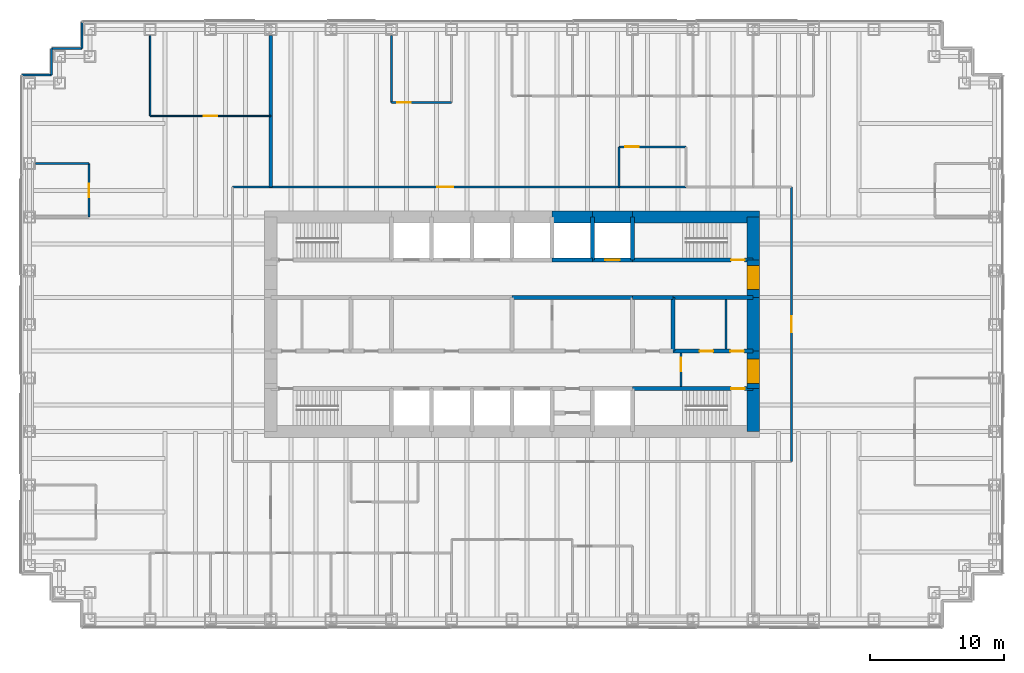
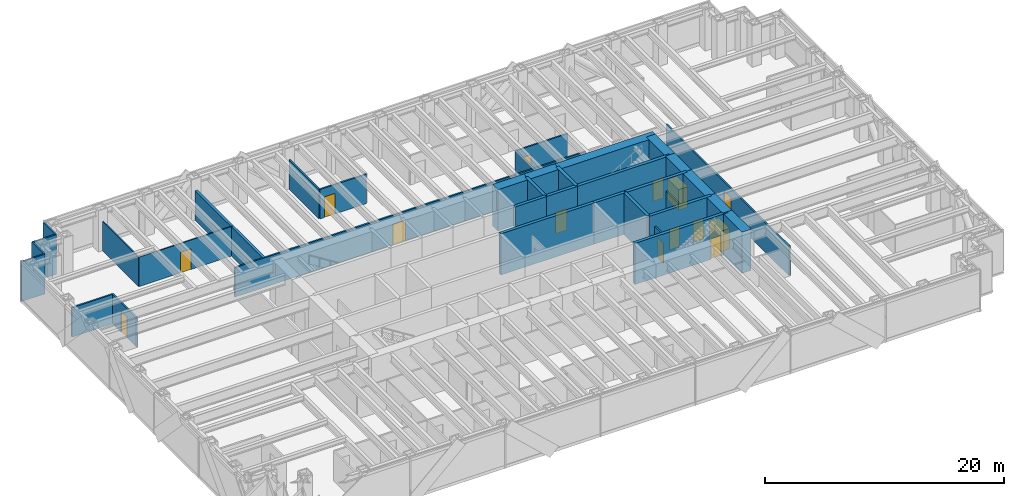
# One storey, part 13 of 15: 37 walls, 14 doors, 14 openings.
"""IFC4 building model written with IfcOpenShell, lengths in metres."""

from ifc_helpers import new_model, si_unit, direction, frame, frame_2d, origin, place, context, subcontext, project, spatial, rectangle, extrude, material, layer, layer_set, type_object, element, fill, save


model = new_model("IFC4")

# Units and contexts
model_context = context("Model", 3, precision=1e-05, world=origin(), true_north=direction((0.0, 1.0)))
body_context = subcontext(model_context, "Body", "Model", "MODEL_VIEW")
ifc_project = project(units=[si_unit("LENGTHUNIT", "METRE"), si_unit("AREAUNIT", "SQUARE_METRE"), si_unit("VOLUMEUNIT", "CUBIC_METRE"), si_unit("PLANEANGLEUNIT", "RADIAN"), si_unit("MASSUNIT", "GRAM", prefix="KILO")], contexts=[model_context])

# Site, building, storey
site_placement = place(None, origin())
site = spatial("IfcSite", under=ifc_project, at=site_placement, CompositionType="ELEMENT")
building_placement = place(site_placement, origin())
building = spatial("IfcBuilding", under=site, at=building_placement, Name="Rheinbord Bourse Tower", CompositionType="ELEMENT")
storey_placement = place(building_placement, frame((0.0, 0.0, 163.5)))
storey = spatial("IfcBuildingStorey", under=building, at=storey_placement, Name="L36", CompositionType="ELEMENT", Elevation=163.5)

# Wall, opening, door
ifc_material_1 = material(Name="Concrete C50/60", Category="concrete")
ifc_layer_1 = layer(ifc_material_1, 0.300048828125)
ifc_layer_set_1 = layer_set([ifc_layer_1], Name="CORE INNER WALL 300")
wall_type_1 = type_object("IfcWallType", Name="CORE INNER WALL 300", PredefinedType="SOLIDWALL", material=ifc_layer_set_1)
wall_1_placement = place(storey_placement, frame((45.0, 19.199951171875, 0.0), z_axis=(0.0, 0.0, 1.0), x_axis=(1.0, 0.0, 0.0)))
wall_1 = element("IfcWall", 1, at=wall_1_placement, inside=storey, type_object=wall_type_1, Name="Core wall A8 L36", PredefinedType="SOLIDWALL", context=body_context, shape_type="SweptSolid", body=[
    extrude(rectangle(XDim=9.0, YDim=0.300048828125, at=frame_2d((4.5, 0.0))), origin(), (0.0, 0.0, 1.0), 4.199951171875),
])
opening_1_placement = place(wall_1_placement, frame((7.35009765625, 0.0, 0.0)))
opening_1 = element("IfcOpeningElement", 2, at=opening_1_placement, cuts=wall_1, Name="Opening 3630", PredefinedType="OPENING", context=body_context, shape_type="SweptSolid", body=[
    extrude(rectangle(XDim=1.0, YDim=2.10009765625, at=frame_2d((0.5, 1.050048828125))), frame((0.0, 0.159912109375, 0.0), z_axis=(0.0, -1.0, 0.0), x_axis=(1.0, 0.0, 0.0)), (0.0, 0.0, 1.0), 0.320068359375),
])
ifc_material_2 = material(Name="Steel door", Category="steel")
door_type_1 = type_object("IfcDoorType", Name="DOOR 1000 EI30", OperationType="SINGLE_SWING_LEFT", PredefinedType="DOOR", material=ifc_material_2)
door_1_placement = place(opening_1_placement, origin())
door_1 = element("IfcDoor", 3, at=door_1_placement, inside=storey, type_object=door_type_1, Name="Stair door ST3 L36", OperationType="SINGLE_SWING_RIGHT", OverallHeight=2.10009765625, OverallWidth=1.0, PredefinedType="DOOR", context=body_context, shape_type="SweptSolid", body=[
    extrude(rectangle(XDim=1.0, YDim=2.10009765625, at=frame_2d((0.5, 1.050048828125))), frame((0.0, 0.02490234375, 0.0), z_axis=(0.0, -1.0, 0.0), x_axis=(1.0, 0.0, 0.0)), (0.0, 0.0, 1.0), 0.050048828125),
])
fill(opening_1, door_1)

# Wall
wall_2_placement = place(storey_placement, frame((39.0, 28.800048828125, 0.0), z_axis=(0.0, 0.0, 1.0), x_axis=(1.0, 0.0, 0.0)))
element("IfcWall", 4, at=wall_2_placement, inside=storey, type_object=wall_type_1, Name="Core wall B6 L36", PredefinedType="SOLIDWALL", context=body_context, shape_type="SweptSolid", body=[
    extrude(rectangle(XDim=3.0, YDim=0.300048828125, at=frame_2d((1.5, 0.0))), origin(), (0.0, 0.0, 1.0), 4.199951171875),
])

# Wall, opening, door
wall_3_placement = place(storey_placement, frame((42.0, 28.800048828125, 0.0), z_axis=(0.0, 0.0, 1.0), x_axis=(1.0, 0.0, 0.0)))
wall_3 = element("IfcWall", 5, at=wall_3_placement, inside=storey, type_object=wall_type_1, Name="Core wall B7 L36", PredefinedType="SOLIDWALL", context=body_context, shape_type="SweptSolid", body=[
    extrude(rectangle(XDim=3.0, YDim=0.300048828125, at=frame_2d((1.5, 0.0))), origin(), (0.0, 0.0, 1.0), 4.199951171875),
])
opening_2_placement = place(wall_3_placement, frame((0.949951171875, 0.0, 0.0)))
opening_2 = element("IfcOpeningElement", 6, at=opening_2_placement, cuts=wall_3, Name="Opening FL2", PredefinedType="OPENING", context=body_context, shape_type="SweptSolid", body=[
    extrude(rectangle(XDim=1.10009765625, YDim=2.199951171875, at=frame_2d((0.550048828125, 1.10009765625))), frame((0.0, 0.159912109375, 0.0), z_axis=(0.0, -1.0, 0.0), x_axis=(1.0, 0.0, 0.0)), (0.0, 0.0, 1.0), 0.320068359375),
])
ifc_material_3 = material(Name="Steel landing door", Category="steel")
door_type_2 = type_object("IfcDoorType", Name="LIFT LANDING DOOR 1100", OperationType="DOUBLE_DOOR_SLIDING", PredefinedType="USERDEFINED", material=ifc_material_3)
door_2_placement = place(opening_2_placement, origin())
door_2 = element("IfcDoor", 7, at=door_2_placement, inside=storey, type_object=door_type_2, Name="Lift landing door FL2 L36", ObjectType="LIFT LANDING DOOR", OperationType="DOUBLE_DOOR_SLIDING", OverallHeight=2.199951171875, OverallWidth=1.10009765625, PredefinedType="USERDEFINED", context=body_context, shape_type="SweptSolid", body=[
    extrude(rectangle(XDim=1.10009765625, YDim=2.199951171875, at=frame_2d((0.550048828125, 1.10009765625))), frame((0.0, 0.02490234375, 0.0), z_axis=(0.0, -1.0, 0.0), x_axis=(1.0, 0.0, 0.0)), (0.0, 0.0, 1.0), 0.050048828125),
])
fill(opening_2, door_2)

wall_4_placement = place(storey_placement, frame((45.0, 28.800048828125, 0.0), z_axis=(0.0, 0.0, 1.0), x_axis=(1.0, 0.0, 0.0)))
wall_4 = element("IfcWall", 8, at=wall_4_placement, inside=storey, type_object=wall_type_1, Name="Core wall B8 L36", PredefinedType="SOLIDWALL", context=body_context, shape_type="SweptSolid", body=[
    extrude(rectangle(XDim=9.0, YDim=0.300048828125, at=frame_2d((4.5, 0.0))), origin(), (0.0, 0.0, 1.0), 4.199951171875),
])
opening_3_placement = place(wall_4_placement, frame((7.35009765625, 0.0, 0.0)))
opening_3 = element("IfcOpeningElement", 9, at=opening_3_placement, cuts=wall_4, Name="Opening 3640", PredefinedType="OPENING", context=body_context, shape_type="SweptSolid", body=[
    extrude(rectangle(XDim=1.0, YDim=2.10009765625, at=frame_2d((0.5, 1.050048828125))), frame((0.0, 0.159912109375, 0.0), z_axis=(0.0, -1.0, 0.0), x_axis=(1.0, 0.0, 0.0)), (0.0, 0.0, 1.0), 0.320068359375),
])
door_3_placement = place(opening_3_placement, origin())
door_3 = element("IfcDoor", 10, at=door_3_placement, inside=storey, type_object=door_type_1, Name="Stair door ST4 L36", OperationType="SINGLE_SWING_RIGHT", OverallHeight=2.10009765625, OverallWidth=1.0, PredefinedType="DOOR", context=body_context, shape_type="SweptSolid", body=[
    extrude(rectangle(XDim=1.0, YDim=2.10009765625, at=frame_2d((0.5, 1.050048828125))), frame((0.0, 0.02490234375, 0.0), z_axis=(0.0, -1.0, 0.0), x_axis=(1.0, 0.0, 0.0)), (0.0, 0.0, 1.0), 0.050048828125),
])
fill(opening_3, door_3)

# Wall, openings, doors
wall_5_placement = place(storey_placement, frame((48.0, 22.0, 0.0), z_axis=(0.0, 0.0, 1.0), x_axis=(1.0, 0.0, 0.0)))
wall_5 = element("IfcWall", 11, at=wall_5_placement, inside=storey, type_object=wall_type_1, Name="Core wall C6 L36", PredefinedType="SOLIDWALL", context=body_context, shape_type="SweptSolid", body=[
    extrude(rectangle(XDim=6.0, YDim=0.300048828125, at=frame_2d((3.0, 0.0))), origin(), (0.0, 0.0, 1.0), 4.199951171875),
])
opening_4_placement = place(wall_5_placement, frame((2.0, 0.0, 0.0)))
opening_4 = element("IfcOpeningElement", 12, at=opening_4_placement, cuts=wall_5, Name="Opening 36R6", PredefinedType="OPENING", context=body_context, shape_type="SweptSolid", body=[
    extrude(rectangle(XDim=1.0, YDim=2.10009765625, at=frame_2d((0.5, 1.050048828125))), frame((0.0, 0.159912109375, 0.0), z_axis=(0.0, -1.0, 0.0), x_axis=(1.0, 0.0, 0.0)), (0.0, 0.0, 1.0), 0.320068359375),
])
opening_5_placement = place(wall_5_placement, frame((4.300048828125, 0.0, 0.0)))
opening_5 = element("IfcOpeningElement", 13, at=opening_5_placement, cuts=wall_5, Name="Opening 36R10", PredefinedType="OPENING", context=body_context, shape_type="SweptSolid", body=[
    extrude(rectangle(XDim=1.0, YDim=2.10009765625, at=frame_2d((0.5, 1.050048828125))), frame((0.0, 0.159912109375, 0.0), z_axis=(0.0, -1.0, 0.0), x_axis=(1.0, 0.0, 0.0)), (0.0, 0.0, 1.0), 0.320068359375),
])
door_4_placement = place(opening_5_placement, origin())
door_4 = element("IfcDoor", 14, at=door_4_placement, inside=storey, type_object=door_type_1, Name="Baby change door L36", OperationType="SINGLE_SWING_RIGHT", OverallHeight=2.10009765625, OverallWidth=1.0, PredefinedType="DOOR", context=body_context, shape_type="SweptSolid", body=[
    extrude(rectangle(XDim=1.0, YDim=2.10009765625, at=frame_2d((0.5, 1.050048828125))), frame((0.0, 0.02490234375, 0.0), z_axis=(0.0, -1.0, 0.0), x_axis=(1.0, 0.0, 0.0)), (0.0, 0.0, 1.0), 0.050048828125),
])
fill(opening_5, door_4)
ifc_material_4 = material(Name="Timber door", Category="wood")
door_type_3 = type_object("IfcDoorType", Name="DOOR 1000 WC", OperationType="SINGLE_SWING_LEFT", PredefinedType="DOOR", material=ifc_material_4)
door_5_placement = place(opening_4_placement, origin())
door_5 = element("IfcDoor", 15, at=door_5_placement, inside=storey, type_object=door_type_3, Name="WC women door L36", OperationType="SINGLE_SWING_LEFT", OverallHeight=2.10009765625, OverallWidth=1.0, PredefinedType="DOOR", context=body_context, shape_type="SweptSolid", body=[
    extrude(rectangle(XDim=1.0, YDim=2.10009765625, at=frame_2d((0.5, 1.050048828125))), frame((0.0, 0.02490234375, 0.0), z_axis=(0.0, -1.0, 0.0), x_axis=(1.0, 0.0, 0.0)), (0.0, 0.0, 1.0), 0.050048828125),
])
fill(opening_4, door_5)

# Walls
wall_6_placement = place(storey_placement, frame((36.0, 26.0, 0.0), z_axis=(0.0, 0.0, 1.0), x_axis=(1.0, 0.0, 0.0)))
element("IfcWall", 16, at=wall_6_placement, inside=storey, type_object=wall_type_1, Name="Core wall D4 L36", PredefinedType="SOLIDWALL", context=body_context, shape_type="SweptSolid", body=[
    extrude(rectangle(XDim=9.0, YDim=0.300048828125, at=frame_2d((4.5, 0.0))), origin(), (0.0, 0.0, 1.0), 4.199951171875),
])
wall_7_placement = place(storey_placement, frame((45.0, 26.0, 0.0), z_axis=(0.0, 0.0, 1.0), x_axis=(1.0, 0.0, 0.0)))
element("IfcWall", 17, at=wall_7_placement, inside=storey, type_object=wall_type_1, Name="Core wall D5 L36", PredefinedType="SOLIDWALL", context=body_context, shape_type="SweptSolid", body=[
    extrude(rectangle(XDim=3.0, YDim=0.300048828125, at=frame_2d((1.5, 0.0))), origin(), (0.0, 0.0, 1.0), 4.199951171875),
])
wall_8_placement = place(storey_placement, frame((48.0, 26.0, 0.0), z_axis=(0.0, 0.0, 1.0), x_axis=(1.0, 0.0, 0.0)))
element("IfcWall", 18, at=wall_8_placement, inside=storey, type_object=wall_type_1, Name="Core wall D6 L36", PredefinedType="SOLIDWALL", context=body_context, shape_type="SweptSolid", body=[
    extrude(rectangle(XDim=6.0, YDim=0.300048828125, at=frame_2d((3.0, 0.0))), origin(), (0.0, 0.0, 1.0), 4.199951171875),
])
for number, where, z_axis, x_axis, name in (
    (19, (42.0, 28.800048828125, 0.0), (0.0, 0.0, 1.0), (0.0, 1.0, 0.0), "Core wall NX42 L36"),
    (20, (45.0, 28.800048828125, 0.0), (0.0, 0.0, 1.0), (0.0, 1.0, 0.0), "Core wall NX45 L36"),
):
    element("IfcWall", number, at=place(storey_placement, frame(where, z_axis=z_axis, x_axis=x_axis)), inside=storey, type_object=wall_type_1, Name=name, PredefinedType="SOLIDWALL", context=body_context, shape_type="SweptSolid", body=[
        extrude(rectangle(XDim=3.199951171875, YDim=0.300048828125, at=frame_2d((1.60009765625, 0.0))), origin(), (0.0, 0.0, 1.0), 4.199951171875),
    ])
wall_9_placement = place(storey_placement, frame((48.0, 22.0, 0.0), z_axis=(0.0, 0.0, 1.0), x_axis=(0.0, 1.0, 0.0)))
element("IfcWall", 21, at=wall_9_placement, inside=storey, type_object=wall_type_1, Name="Core wall MX48 L36", PredefinedType="SOLIDWALL", context=body_context, shape_type="SweptSolid", body=[
    extrude(rectangle(XDim=4.0, YDim=0.300048828125, at=frame_2d((2.0, 0.0))), origin(), (0.0, 0.0, 1.0), 4.199951171875),
])
ifc_material_5 = material(Name="Gypsum board fire partition", Category="gypsum board")
ifc_layer_2 = layer(ifc_material_5, 0.14990234375)
ifc_layer_set_2 = layer_set([ifc_layer_2], Name="CORE PARTITION 150 EI30")
wall_type_2 = type_object("IfcWallType", Name="CORE PARTITION 150 EI30", PredefinedType="PARTITIONING", material=ifc_layer_set_2)
wall_10_placement = place(storey_placement, frame((51.97509765625, 22.14990234375, 0.0), z_axis=(0.0, 0.0, 1.0), x_axis=(0.0, 1.0, 0.0)))
element("IfcWall", 22, at=wall_10_placement, inside=storey, type_object=wall_type_2, Name="Core partition L36-3", PredefinedType="PARTITIONING", context=body_context, shape_type="SweptSolid", body=[
    extrude(rectangle(XDim=3.7001953125, YDim=0.14990234375, at=frame_2d((1.85009765625, 0.0))), origin(), (0.0, 0.0, 1.0), 3.0),
])

# Wall, opening, door
wall_11_placement = place(storey_placement, frame((48.60009765625, 19.35009765625, 0.0), z_axis=(0.0, 0.0, 1.0), x_axis=(0.0, 1.0, 0.0)))
wall_11 = element("IfcWall", 23, at=wall_11_placement, inside=storey, type_object=wall_type_2, Name="Core partition L36-4", PredefinedType="PARTITIONING", context=body_context, shape_type="SweptSolid", body=[
    extrude(rectangle(XDim=2.5, YDim=0.14990234375, at=frame_2d((1.25, 0.0))), origin(), (0.0, 0.0, 1.0), 3.0),
])
opening_6_placement = place(wall_11_placement, frame((1.14990234375, 0.0, 0.0)))
opening_6 = element("IfcOpeningElement", 24, at=opening_6_placement, cuts=wall_11, Name="Opening 36L5", PredefinedType="OPENING", context=body_context, shape_type="SweptSolid", body=[
    extrude(rectangle(XDim=1.0, YDim=2.10009765625, at=frame_2d((0.5, 1.050048828125))), frame((0.0, 0.0849609375, 0.0), z_axis=(0.0, -1.0, 0.0), x_axis=(1.0, 0.0, 0.0)), (0.0, 0.0, 1.0), 0.169921875),
])
door_6_placement = place(opening_6_placement, origin())
door_6 = element("IfcDoor", 25, at=door_6_placement, inside=storey, type_object=door_type_1, Name="Stair lobby door L36", OperationType="SINGLE_SWING_RIGHT", OverallHeight=2.10009765625, OverallWidth=1.0, PredefinedType="DOOR", context=body_context, shape_type="SweptSolid", body=[
    extrude(rectangle(XDim=1.0, YDim=2.10009765625, at=frame_2d((0.5, 1.050048828125))), frame((0.0, 0.02490234375, 0.0), z_axis=(0.0, -1.0, 0.0), x_axis=(1.0, 0.0, 0.0)), (0.0, 0.0, 1.0), 0.050048828125),
])
fill(opening_6, door_6)

# Walls
ifc_material_6 = material(Name="Concrete C50/60", Category="concrete")
ifc_layer_3 = layer(ifc_material_6, 0.89990234375)
ifc_layer_set_3 = layer_set([ifc_layer_3], Name="CORE WALL 900")
wall_type_3 = type_object("IfcWallType", Name="CORE WALL 900", PredefinedType="SHEAR", material=ifc_layer_set_3)
wall_12_placement = place(storey_placement, frame((54.449951171875, 32.0, 0.0), z_axis=(0.0, 0.0, 1.0), x_axis=(-1.0, 0.0, 0.0)))
element("IfcWall", 26, at=wall_12_placement, inside=storey, type_object=wall_type_3, Name="Core wall N1 L36", PredefinedType="SHEAR", context=body_context, shape_type="SweptSolid", body=[
    extrude(rectangle(XDim=9.449951171875, YDim=0.89990234375, at=frame_2d((4.72509765625, 0.0))), origin(), (0.0, 0.0, 1.0), 4.199951171875),
])
for number, where, z_axis, x_axis, name in (
    (27, (45.0, 32.0, 0.0), (0.0, 0.0, 1.0), (-1.0, 0.0, 0.0), "Core wall N2 L36"),
    (28, (42.0, 32.0, 0.0), (0.0, 0.0, 1.0), (-1.0, 0.0, 0.0), "Core wall N3 L36"),
):
    element("IfcWall", number, at=place(storey_placement, frame(where, z_axis=z_axis, x_axis=x_axis)), inside=storey, type_object=wall_type_3, Name=name, PredefinedType="SHEAR", context=body_context, shape_type="SweptSolid", body=[
        extrude(rectangle(XDim=3.0, YDim=0.89990234375, at=frame_2d((1.5, 0.0))), origin(), (0.0, 0.0, 1.0), 4.199951171875),
    ])
wall_13_placement = place(storey_placement, frame((54.0, 16.0, 0.0), z_axis=(0.0, 0.0, 1.0), x_axis=(0.0, 1.0, 0.0)))
element("IfcWall", 29, at=wall_13_placement, inside=storey, type_object=wall_type_3, Name="Core wall E1 L36", PredefinedType="SHEAR", context=body_context, shape_type="SweptSolid", body=[
    extrude(rectangle(XDim=3.199951171875, YDim=0.89990234375, at=frame_2d((1.60009765625, 0.0))), origin(), (0.0, 0.0, 1.0), 4.199951171875),
])

# Wall, opening, door
wall_14_placement = place(storey_placement, frame((54.0, 19.199951171875, 0.0), z_axis=(0.0, 0.0, 1.0), x_axis=(0.0, 1.0, 0.0)))
wall_14 = element("IfcWall", 30, at=wall_14_placement, inside=storey, type_object=wall_type_3, Name="Core wall E2 L36", PredefinedType="SHEAR", context=body_context, shape_type="SweptSolid", body=[
    extrude(rectangle(XDim=2.800048828125, YDim=0.89990234375, at=frame_2d((1.39990234375, 0.0))), origin(), (0.0, 0.0, 1.0), 4.199951171875),
])
opening_7_placement = place(wall_14_placement, frame((0.39990234375, 0.0, 0.0)))
opening_7 = element("IfcOpeningElement", 31, at=opening_7_placement, cuts=wall_14, Name="Opening 36L3", PredefinedType="OPENING", context=body_context, shape_type="SweptSolid", body=[
    extrude(rectangle(XDim=1.800048828125, YDim=2.10009765625, at=frame_2d((0.89990234375, 1.050048828125))), frame((0.0, 0.4599609375, 0.0), z_axis=(0.0, -1.0, 0.0), x_axis=(1.0, 0.0, 0.0)), (0.0, 0.0, 1.0), 0.919921875),
])
ifc_material_7 = material(Name="Steel door", Category="steel")
door_type_4 = type_object("IfcDoorType", Name="DOOR 1800 EI30 DOUBLE", OperationType="DOUBLE_DOOR_DOUBLE_SWING", PredefinedType="DOOR", material=ifc_material_7)
door_7_placement = place(opening_7_placement, origin())
door_7 = element("IfcDoor", 32, at=door_7_placement, inside=storey, type_object=door_type_4, Name="Lobby door 3 L36", OperationType="SINGLE_SWING_LEFT", OverallHeight=2.10009765625, OverallWidth=1.800048828125, PredefinedType="DOOR", context=body_context, shape_type="SweptSolid", body=[
    extrude(rectangle(XDim=1.800048828125, YDim=2.10009765625, at=frame_2d((0.89990234375, 1.050048828125))), frame((0.0, 0.44970703125, 0.0), z_axis=(0.0, -1.0, 0.0), x_axis=(1.0, 0.0, 0.0)), (0.0, 0.0, 1.0), 0.8994140625),
])
fill(opening_7, door_7)

# Wall
wall_15_placement = place(storey_placement, frame((54.0, 22.0, 0.0), z_axis=(0.0, 0.0, 1.0), x_axis=(0.0, 1.0, 0.0)))
element("IfcWall", 33, at=wall_15_placement, inside=storey, type_object=wall_type_3, Name="Core wall E3 L36", PredefinedType="SHEAR", context=body_context, shape_type="SweptSolid", body=[
    extrude(rectangle(XDim=4.0, YDim=0.89990234375, at=frame_2d((2.0, 0.0))), origin(), (0.0, 0.0, 1.0), 4.199951171875),
])

# Wall, opening, door
wall_16_placement = place(storey_placement, frame((54.0, 26.0, 0.0), z_axis=(0.0, 0.0, 1.0), x_axis=(0.0, 1.0, 0.0)))
wall_16 = element("IfcWall", 34, at=wall_16_placement, inside=storey, type_object=wall_type_3, Name="Core wall E4 L36", PredefinedType="SHEAR", context=body_context, shape_type="SweptSolid", body=[
    extrude(rectangle(XDim=2.800048828125, YDim=0.89990234375, at=frame_2d((1.39990234375, 0.0))), origin(), (0.0, 0.0, 1.0), 4.199951171875),
])
opening_8_placement = place(wall_16_placement, frame((0.60009765625, 0.0, 0.0)))
opening_8 = element("IfcOpeningElement", 35, at=opening_8_placement, cuts=wall_16, Name="Opening 36L4", PredefinedType="OPENING", context=body_context, shape_type="SweptSolid", body=[
    extrude(rectangle(XDim=1.800048828125, YDim=2.10009765625, at=frame_2d((0.89990234375, 1.050048828125))), frame((0.0, 0.4599609375, 0.0), z_axis=(0.0, -1.0, 0.0), x_axis=(1.0, 0.0, 0.0)), (0.0, 0.0, 1.0), 0.919921875),
])
door_8_placement = place(opening_8_placement, origin())
door_8 = element("IfcDoor", 36, at=door_8_placement, inside=storey, type_object=door_type_4, Name="Lobby door 4 L36", OperationType="SINGLE_SWING_LEFT", OverallHeight=2.10009765625, OverallWidth=1.800048828125, PredefinedType="DOOR", context=body_context, shape_type="SweptSolid", body=[
    extrude(rectangle(XDim=1.800048828125, YDim=2.10009765625, at=frame_2d((0.89990234375, 1.050048828125))), frame((0.0, 0.44970703125, 0.0), z_axis=(0.0, -1.0, 0.0), x_axis=(1.0, 0.0, 0.0)), (0.0, 0.0, 1.0), 0.8994140625),
])
fill(opening_8, door_8)

# Walls
wall_17_placement = place(storey_placement, frame((54.0, 28.800048828125, 0.0), z_axis=(0.0, 0.0, 1.0), x_axis=(0.0, 1.0, 0.0)))
element("IfcWall", 37, at=wall_17_placement, inside=storey, type_object=wall_type_3, Name="Core wall E5 L36", PredefinedType="SHEAR", context=body_context, shape_type="SweptSolid", body=[
    extrude(rectangle(XDim=3.199951171875, YDim=0.89990234375, at=frame_2d((1.60009765625, 0.0))), origin(), (0.0, 0.0, 1.0), 4.199951171875),
])
ifc_material_8 = material(Name="Black metal rainscreen panel", Category="aluminium")
ifc_layer_4 = layer(ifc_material_8, 0.14990234375)
ifc_layer_set_4 = layer_set([ifc_layer_4], Name="CORNER PIER CLADDING 150")
wall_type_4 = type_object("IfcWallType", Name="CORNER PIER CLADDING 150", PredefinedType="ELEMENTEDWALL", material=ifc_layer_set_4)
wall_18_placement = place(storey_placement, frame((3.89990234375, 46.60009765625, 0.0), z_axis=(0.0, 0.0, 1.0), x_axis=(0.0, -1.0, 0.0)))
element("IfcWall", 38, at=wall_18_placement, inside=storey, type_object=wall_type_4, Name="Corner pier cladding L36 12", PredefinedType="ELEMENTEDWALL", context=body_context, shape_type="SweptSolid", body=[
    extrude(rectangle(XDim=2.0, YDim=0.14990234375, at=frame_2d((1.0, 0.0))), origin(), (0.0, 0.0, 1.0), 4.0400390625),
])
wall_19_placement = place(storey_placement, frame((3.89990234375, 44.60009765625, 0.0), z_axis=(0.0, 0.0, 1.0), x_axis=(-1.0, 0.0, 0.0)))
element("IfcWall", 39, at=wall_19_placement, inside=storey, type_object=wall_type_4, Name="Corner pier cladding L36 13", PredefinedType="ELEMENTEDWALL", context=body_context, shape_type="SweptSolid", body=[
    extrude(rectangle(XDim=2.25, YDim=0.14990234375, at=frame_2d((1.125, 0.0))), origin(), (0.0, 0.0, 1.0), 4.0400390625),
])
wall_20_placement = place(storey_placement, frame((1.64990234375, 44.60009765625, 0.0), z_axis=(0.0, 0.0, 1.0), x_axis=(0.0, -1.0, 0.0)))
element("IfcWall", 40, at=wall_20_placement, inside=storey, type_object=wall_type_4, Name="Corner pier cladding L36 14", PredefinedType="ELEMENTEDWALL", context=body_context, shape_type="SweptSolid", body=[
    extrude(rectangle(XDim=2.0, YDim=0.14990234375, at=frame_2d((1.0, 0.0))), origin(), (0.0, 0.0, 1.0), 4.0400390625),
])
wall_21_placement = place(storey_placement, frame((1.64990234375, 42.60009765625, 0.0), z_axis=(0.0, 0.0, 1.0), x_axis=(-1.0, 0.0, 0.0)))
element("IfcWall", 41, at=wall_21_placement, inside=storey, type_object=wall_type_4, Name="Corner pier cladding L36 15", PredefinedType="ELEMENTEDWALL", context=body_context, shape_type="SweptSolid", body=[
    extrude(rectangle(XDim=2.25, YDim=0.14990234375, at=frame_2d((1.125, 0.0))), origin(), (0.0, 0.0, 1.0), 4.0400390625),
])

# Wall, opening, door
ifc_material_9 = material(Name="Gypsum board corridor partition", Category="gypsum board")
ifc_layer_5 = layer(ifc_material_9, 0.14990234375)
ifc_layer_set_5 = layer_set([ifc_layer_5], Name="CORRIDOR PARTITION 150 EI30")
wall_type_5 = type_object("IfcWallType", Name="CORRIDOR PARTITION 150 EI30", PredefinedType="PARTITIONING", material=ifc_layer_set_5)
wall_22_placement = place(storey_placement, frame((15.14990234375, 34.25, 0.0), z_axis=(0.0, 0.0, 1.0), x_axis=(1.0, 0.0, 0.0)))
wall_22 = element("IfcWall", 42, at=wall_22_placement, inside=storey, type_object=wall_type_5, Name="Partition L36-14", PredefinedType="PARTITIONING", context=body_context, shape_type="SweptSolid", body=[
    extrude(rectangle(XDim=28.85009765625, YDim=0.14990234375, at=frame_2d((14.425048828125, 0.0))), origin(), (0.0, 0.0, 1.0), 3.0),
])
opening_9_placement = place(wall_22_placement, frame((15.262939453125, 0.0, 0.0)))
opening_9 = element("IfcOpeningElement", 43, at=opening_9_placement, cuts=wall_22, Name="Opening 36D26", PredefinedType="OPENING", context=body_context, shape_type="SweptSolid", body=[
    extrude(rectangle(XDim=1.199951171875, YDim=2.10009765625, at=frame_2d((0.60009765625, 1.050048828125))), frame((0.0, 0.0849609375, 0.0), z_axis=(0.0, -1.0, 0.0), x_axis=(1.0, 0.0, 0.0)), (0.0, 0.0, 1.0), 0.169921875),
])
ifc_material_10 = material(Name="Timber fire door", Category="wood")
door_type_5 = type_object("IfcDoorType", Name="SUITE ENTRANCE DOOR 1200 EI30", OperationType="SINGLE_SWING_LEFT", PredefinedType="DOOR", material=ifc_material_10)
door_9_placement = place(opening_9_placement, origin())
door_9 = element("IfcDoor", 44, at=door_9_placement, inside=storey, type_object=door_type_5, Name="Suite entrance 4 door L36", OperationType="SINGLE_SWING_RIGHT", OverallHeight=2.10009765625, OverallWidth=1.199951171875, PredefinedType="DOOR", context=body_context, shape_type="SweptSolid", body=[
    extrude(rectangle(XDim=1.199951171875, YDim=2.10009765625, at=frame_2d((0.60009765625, 1.050048828125))), frame((0.0, 0.02490234375, 0.0), z_axis=(0.0, -1.0, 0.0), x_axis=(1.0, 0.0, 0.0)), (0.0, 0.0, 1.0), 0.050048828125),
])
fill(opening_9, door_9)

wall_23_placement = place(storey_placement, frame((56.85009765625, 13.75, 0.0), z_axis=(0.0, 0.0, 1.0), x_axis=(0.0, 1.0, 0.0)))
wall_23 = element("IfcWall", 45, at=wall_23_placement, inside=storey, type_object=wall_type_5, Name="Partition L36-52", PredefinedType="PARTITIONING", context=body_context, shape_type="SweptSolid", body=[
    extrude(rectangle(XDim=20.5, YDim=0.14990234375, at=frame_2d((10.25, 0.0))), origin(), (0.0, 0.0, 1.0), 3.0),
])
opening_10_placement = place(wall_23_placement, frame((9.64990234375, 0.0, 0.0)))
opening_10 = element("IfcOpeningElement", 46, at=opening_10_placement, cuts=wall_23, Name="Opening 36D24", PredefinedType="OPENING", context=body_context, shape_type="SweptSolid", body=[
    extrude(rectangle(XDim=1.199951171875, YDim=2.10009765625, at=frame_2d((0.60009765625, 1.050048828125))), frame((0.0, 0.0849609375, 0.0), z_axis=(0.0, -1.0, 0.0), x_axis=(1.0, 0.0, 0.0)), (0.0, 0.0, 1.0), 0.169921875),
])
door_10_placement = place(opening_10_placement, origin())
door_10 = element("IfcDoor", 47, at=door_10_placement, inside=storey, type_object=door_type_5, Name="Suite entrance 2 door L36", OperationType="SINGLE_SWING_LEFT", OverallHeight=2.10009765625, OverallWidth=1.199951171875, PredefinedType="DOOR", context=body_context, shape_type="SweptSolid", body=[
    extrude(rectangle(XDim=1.199951171875, YDim=2.10009765625, at=frame_2d((0.60009765625, 1.050048828125))), frame((0.0, 0.02490234375, 0.0), z_axis=(0.0, -1.0, 0.0), x_axis=(1.0, 0.0, 0.0)), (0.0, 0.0, 1.0), 0.050048828125),
])
fill(opening_10, door_10)

# Walls
ifc_material_11 = material(Name="Gypsum board tenancy wall", Category="gypsum board")
ifc_layer_6 = layer(ifc_material_11, 0.25)
ifc_layer_set_6 = layer_set([ifc_layer_6], Name="DEMISING PARTITION 250 EI60")
wall_type_6 = type_object("IfcWallType", Name="DEMISING PARTITION 250 EI60", PredefinedType="PARTITIONING", material=ifc_layer_set_6)
wall_24_placement = place(storey_placement, frame((18.0, 34.25, 0.0), z_axis=(0.0, 0.0, 1.0), x_axis=(0.0, 1.0, 0.0)))
element("IfcWall", 48, at=wall_24_placement, inside=storey, type_object=wall_type_6, Name="Partition L36-31", PredefinedType="PARTITIONING", context=body_context, shape_type="SweptSolid", body=[
    extrude(rectangle(XDim=11.300048828125, YDim=0.25, at=frame_2d((5.64990234375, 0.0))), origin(), (0.0, 0.0, 1.0), 3.0),
])
ifc_material_12 = material(Name="Gypsum board fire partition", Category="gypsum board")
ifc_layer_7 = layer(ifc_material_12, 0.14990234375)
ifc_layer_set_7 = layer_set([ifc_layer_7], Name="FIRE PARTITION 150 EI60")
wall_type_7 = type_object("IfcWallType", Name="FIRE PARTITION 150 EI60", PredefinedType="PARTITIONING", material=ifc_layer_set_7)
wall_25_placement = place(storey_placement, frame((44.0, 34.25, 0.0), z_axis=(0.0, 0.0, 1.0), x_axis=(1.0, 0.0, 0.0)))
element("IfcWall", 49, at=wall_25_placement, inside=storey, type_object=wall_type_7, Name="Partition L36-15", PredefinedType="PARTITIONING", context=body_context, shape_type="SweptSolid", body=[
    extrude(rectangle(XDim=5.0, YDim=0.14990234375, at=frame_2d((2.5, 0.0))), origin(), (0.0, 0.0, 1.0), 3.0),
])

# Wall, opening, door
wall_26_placement = place(storey_placement, frame((44.0, 37.25, 0.0), z_axis=(0.0, 0.0, 1.0), x_axis=(1.0, 0.0, 0.0)))
wall_26 = element("IfcWall", 50, at=wall_26_placement, inside=storey, type_object=wall_type_7, Name="Partition L36-19", PredefinedType="PARTITIONING", context=body_context, shape_type="SweptSolid", body=[
    extrude(rectangle(XDim=5.0, YDim=0.14990234375, at=frame_2d((2.5, 0.0))), origin(), (0.0, 0.0, 1.0), 3.0),
])
opening_11_placement = place(wall_26_placement, frame((0.449951171875, 0.0, 0.0)))
opening_11 = element("IfcOpeningElement", 51, at=opening_11_placement, cuts=wall_26, Name="Opening 36D13", PredefinedType="OPENING", context=body_context, shape_type="SweptSolid", body=[
    extrude(rectangle(XDim=1.0, YDim=2.10009765625, at=frame_2d((0.5, 1.050048828125))), frame((0.0, 0.0849609375, 0.0), z_axis=(0.0, -1.0, 0.0), x_axis=(1.0, 0.0, 0.0)), (0.0, 0.0, 1.0), 0.169921875),
])
ifc_material_13 = material(Name="Timber fire door", Category="wood")
door_type_6 = type_object("IfcDoorType", Name="FIRE DOOR 1000 EI60", OperationType="SINGLE_SWING_LEFT", PredefinedType="DOOR", material=ifc_material_13)
door_11_placement = place(opening_11_placement, origin())
door_11 = element("IfcDoor", 52, at=door_11_placement, inside=storey, type_object=door_type_6, Name="Comms room door L36", OperationType="SINGLE_SWING_LEFT", OverallHeight=2.10009765625, OverallWidth=1.0, PredefinedType="DOOR", context=body_context, shape_type="SweptSolid", body=[
    extrude(rectangle(XDim=1.0, YDim=2.10009765625, at=frame_2d((0.5, 1.050048828125))), frame((0.0, 0.02490234375, 0.0), z_axis=(0.0, -1.0, 0.0), x_axis=(1.0, 0.0, 0.0)), (0.0, 0.0, 1.0), 0.050048828125),
])
fill(opening_11, door_11)

# Wall
wall_27_placement = place(storey_placement, frame((44.0, 34.25, 0.0), z_axis=(0.0, 0.0, 1.0), x_axis=(0.0, 1.0, 0.0)))
element("IfcWall", 53, at=wall_27_placement, inside=storey, type_object=wall_type_7, Name="Partition L36-44", PredefinedType="PARTITIONING", context=body_context, shape_type="SweptSolid", body=[
    extrude(rectangle(XDim=3.0, YDim=0.14990234375, at=frame_2d((1.5, 0.0))), origin(), (0.0, 0.0, 1.0), 3.0),
])

# Wall, opening, door
ifc_material_14 = material(Name="Toughened laminated glass partition", Category="glass")
ifc_layer_8 = layer(ifc_material_14, 0.10009765625)
ifc_layer_set_8 = layer_set([ifc_layer_8], Name="GLAZED PARTITION 100")
wall_type_8 = type_object("IfcWallType", Name="GLAZED PARTITION 100", PredefinedType="PARTITIONING", material=ifc_layer_set_8)
wall_28_placement = place(storey_placement, frame((9.0, 39.550048828125, 0.0), z_axis=(0.0, 0.0, 1.0), x_axis=(1.0, 0.0, 0.0)))
wall_28 = element("IfcWall", 54, at=wall_28_placement, inside=storey, type_object=wall_type_8, Name="Partition L36-20", PredefinedType="PARTITIONING", context=body_context, shape_type="SweptSolid", body=[
    extrude(rectangle(XDim=9.0, YDim=0.10009765625, at=frame_2d((4.5, 0.0))), origin(), (0.0, 0.0, 1.0), 3.0),
])
opening_12_placement = place(wall_28_placement, frame((4.0, 0.0, 0.0)))
opening_12 = element("IfcOpeningElement", 55, at=opening_12_placement, cuts=wall_28, Name="Opening 36D14", PredefinedType="OPENING", context=body_context, shape_type="SweptSolid", body=[
    extrude(rectangle(XDim=1.0, YDim=2.10009765625, at=frame_2d((0.5, 1.050048828125))), frame((0.0, 0.06005859375, 0.0), z_axis=(0.0, -1.0, 0.0), x_axis=(1.0, 0.0, 0.0)), (0.0, 0.0, 1.0), 0.1201171875),
])
ifc_material_15 = material(Name="Timber door", Category="wood")
door_type_7 = type_object("IfcDoorType", Name="ROOM DOOR 1000", OperationType="SINGLE_SWING_LEFT", PredefinedType="DOOR", material=ifc_material_15)
door_12_placement = place(opening_12_placement, origin())
door_12 = element("IfcDoor", 56, at=door_12_placement, inside=storey, type_object=door_type_7, Name="Meeting room door L36", OperationType="SINGLE_SWING_LEFT", OverallHeight=2.10009765625, OverallWidth=1.0, PredefinedType="DOOR", context=body_context, shape_type="SweptSolid", body=[
    extrude(rectangle(XDim=1.0, YDim=2.10009765625, at=frame_2d((0.5, 1.050048828125))), frame((0.0, 0.02490234375, 0.0), z_axis=(0.0, -1.0, 0.0), x_axis=(1.0, 0.0, 0.0)), (0.0, 0.0, 1.0), 0.050048828125),
])
fill(opening_12, door_12)

# Walls
wall_29_placement = place(storey_placement, frame((9.0, 39.550048828125, 0.0), z_axis=(0.0, 0.0, 1.0), x_axis=(0.0, 1.0, 0.0)))
element("IfcWall", 57, at=wall_29_placement, inside=storey, type_object=wall_type_8, Name="Partition L36-26", PredefinedType="PARTITIONING", context=body_context, shape_type="SweptSolid", body=[
    extrude(rectangle(XDim=6.0, YDim=0.10009765625, at=frame_2d((3.0, 0.0))), origin(), (0.0, 0.0, 1.0), 3.0),
])
ifc_material_16 = material(Name="Gypsum board partition", Category="gypsum board")
ifc_layer_9 = layer(ifc_material_16, 0.14990234375)
ifc_layer_set_9 = layer_set([ifc_layer_9], Name="PARTITION 150")
wall_type_9 = type_object("IfcWallType", Name="PARTITION 150", PredefinedType="PARTITIONING", material=ifc_layer_set_9)
wall_30_placement = place(storey_placement, frame((0.449951171875, 36.0, 0.0), z_axis=(0.0, 0.0, 1.0), x_axis=(1.0, 0.0, 0.0)))
element("IfcWall", 58, at=wall_30_placement, inside=storey, type_object=wall_type_9, Name="Partition L36-17", PredefinedType="PARTITIONING", context=body_context, shape_type="SweptSolid", body=[
    extrude(rectangle(XDim=4.0, YDim=0.14990234375, at=frame_2d((2.0, 0.0))), origin(), (0.0, 0.0, 1.0), 3.0),
])

# Wall, opening, door
wall_31_placement = place(storey_placement, frame((27.0, 40.550048828125, 0.0), z_axis=(0.0, 0.0, 1.0), x_axis=(1.0, 0.0, 0.0)))
wall_31 = element("IfcWall", 59, at=wall_31_placement, inside=storey, type_object=wall_type_9, Name="Partition L36-21", PredefinedType="PARTITIONING", context=body_context, shape_type="SweptSolid", body=[
    extrude(rectangle(XDim=4.5, YDim=0.14990234375, at=frame_2d((2.25, 0.0))), origin(), (0.0, 0.0, 1.0), 3.0),
])
opening_13_placement = place(wall_31_placement, frame((0.449951171875, 0.0, 0.0)))
opening_13 = element("IfcOpeningElement", 60, at=opening_13_placement, cuts=wall_31, Name="Opening 36D15", PredefinedType="OPENING", context=body_context, shape_type="SweptSolid", body=[
    extrude(rectangle(XDim=1.0, YDim=2.10009765625, at=frame_2d((0.5, 1.050048828125))), frame((0.0, 0.0849609375, 0.0), z_axis=(0.0, -1.0, 0.0), x_axis=(1.0, 0.0, 0.0)), (0.0, 0.0, 1.0), 0.169921875),
])
door_13_placement = place(opening_13_placement, origin())
door_13 = element("IfcDoor", 61, at=door_13_placement, inside=storey, type_object=door_type_7, Name="Pantry door L36", OperationType="SINGLE_SWING_LEFT", OverallHeight=2.10009765625, OverallWidth=1.0, PredefinedType="DOOR", context=body_context, shape_type="SweptSolid", body=[
    extrude(rectangle(XDim=1.0, YDim=2.10009765625, at=frame_2d((0.5, 1.050048828125))), frame((0.0, 0.02490234375, 0.0), z_axis=(0.0, -1.0, 0.0), x_axis=(1.0, 0.0, 0.0)), (0.0, 0.0, 1.0), 0.050048828125),
])
fill(opening_13, door_13)

wall_32_placement = place(storey_placement, frame((4.449951171875, 32.0, 0.0), z_axis=(0.0, 0.0, 1.0), x_axis=(0.0, 1.0, 0.0)))
wall_32 = element("IfcWall", 62, at=wall_32_placement, inside=storey, type_object=wall_type_9, Name="Partition L36-23", PredefinedType="PARTITIONING", context=body_context, shape_type="SweptSolid", body=[
    extrude(rectangle(XDim=4.0, YDim=0.14990234375, at=frame_2d((2.0, 0.0))), origin(), (0.0, 0.0, 1.0), 3.0),
])
opening_14_placement = place(wall_32_placement, frame((1.5, 0.0, 0.0)))
opening_14 = element("IfcOpeningElement", 63, at=opening_14_placement, cuts=wall_32, Name="Opening 36D11", PredefinedType="OPENING", context=body_context, shape_type="SweptSolid", body=[
    extrude(rectangle(XDim=1.0, YDim=2.10009765625, at=frame_2d((0.5, 1.050048828125))), frame((0.0, 0.0849609375, 0.0), z_axis=(0.0, -1.0, 0.0), x_axis=(1.0, 0.0, 0.0)), (0.0, 0.0, 1.0), 0.169921875),
])
door_14_placement = place(opening_14_placement, origin())
door_14 = element("IfcDoor", 64, at=door_14_placement, inside=storey, type_object=door_type_7, Name="Print room door L36", OperationType="SINGLE_SWING_LEFT", OverallHeight=2.10009765625, OverallWidth=1.0, PredefinedType="DOOR", context=body_context, shape_type="SweptSolid", body=[
    extrude(rectangle(XDim=1.0, YDim=2.10009765625, at=frame_2d((0.5, 1.050048828125))), frame((0.0, 0.02490234375, 0.0), z_axis=(0.0, -1.0, 0.0), x_axis=(1.0, 0.0, 0.0)), (0.0, 0.0, 1.0), 0.050048828125),
])
fill(opening_14, door_14)

# Wall
wall_33_placement = place(storey_placement, frame((27.0, 40.550048828125, 0.0), z_axis=(0.0, 0.0, 1.0), x_axis=(0.0, 1.0, 0.0)))
element("IfcWall", 65, at=wall_33_placement, inside=storey, type_object=wall_type_9, Name="Partition L36-35", PredefinedType="PARTITIONING", context=body_context, shape_type="SweptSolid", body=[
    extrude(rectangle(XDim=5.0, YDim=0.14990234375, at=frame_2d((2.5, 0.0))), origin(), (0.0, 0.0, 1.0), 3.0),
])

save(model, "model.ifc")
